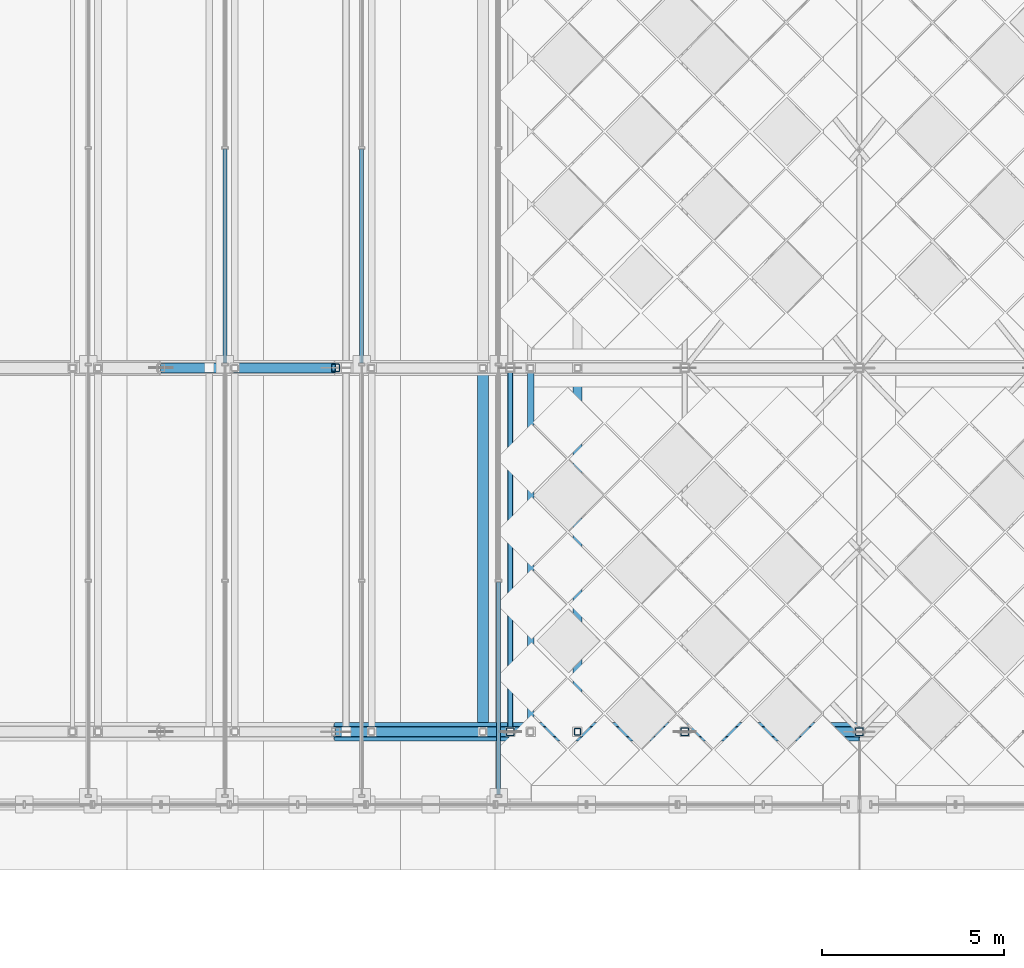
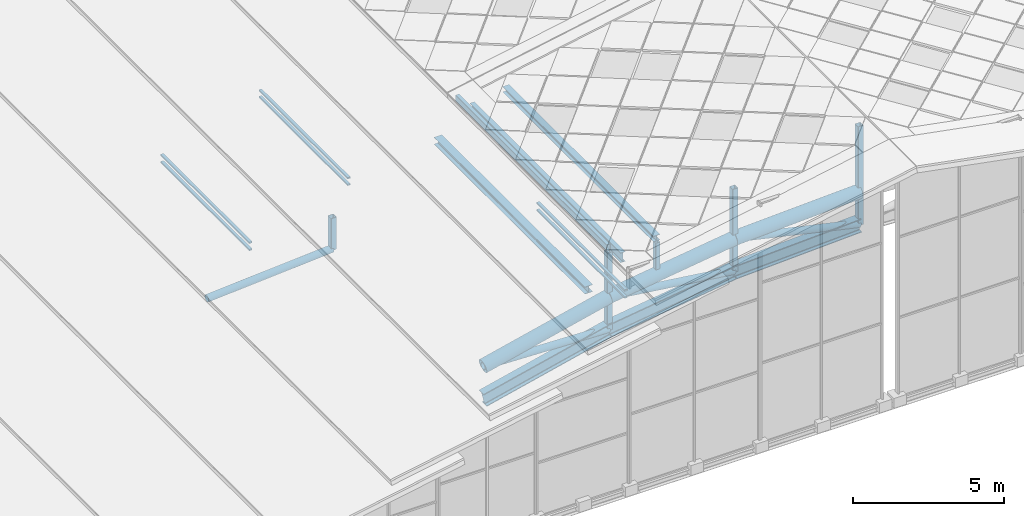
# One storey, part 5 of 117: 25 members, 3 elements without a shape of their own.
"""IFC4 building model written with IfcOpenShell, lengths in metres."""

from ifc_helpers import new_model, si_unit, direction, frame, origin, origin_2d, place, context, subcontext, project, spatial, hollow_rectangle, hollow_circle, i_section, extrude, material, material_profile, profile_set, type_object, element, aggregate, save


model = new_model("IFC4")

# Units and contexts
model_context = context("Model", 3, precision=1e-05, world=origin(), true_north=direction((0.0, 1.0)))
body_context = subcontext(model_context, "Body", "Model", "MODEL_VIEW")
ifc_project = project(units=[si_unit("LENGTHUNIT", "METRE"), si_unit("AREAUNIT", "SQUARE_METRE"), si_unit("VOLUMEUNIT", "CUBIC_METRE"), si_unit("PLANEANGLEUNIT", "RADIAN"), si_unit("MASSUNIT", "GRAM", prefix="KILO")], contexts=[model_context])

# Site, building, storey
site_placement = place(None, origin())
site = spatial("IfcSite", under=ifc_project, at=site_placement, CompositionType="ELEMENT")
building_placement = place(site_placement, origin())
building = spatial("IfcBuilding", under=site, at=building_placement, Name="Merenkruunu Market Hall", CompositionType="ELEMENT")
storey_placement = place(building_placement, frame((0.0, 0.0, 22.800048828125)))
storey = spatial("IfcBuildingStorey", under=building, at=storey_placement, Name="RF", CompositionType="ELEMENT", Elevation=22.800048828125)

# Members
ifc_material_1 = material(Name="Steel S355ML", Category="steel")
ifc_material_profile_1 = material_profile(ifc_material_1, hollow_circle(Radius=0.25390625, WallThickness=0.02001953125, at=origin_2d()), Name="CHS 508x20")
ifc_profile_set_1 = profile_set([ifc_material_profile_1], Name="Steel S355ML")
member_type_1 = type_object("IfcMemberType", Name="Arch Truss Chord TC01", PredefinedType="CHORD", material=ifc_profile_set_1)
member_1_placement = place(storey_placement, frame((14.39990234375, 17.60009765625, -3.47998046875), z_axis=(0.972941974064, 0.0, 0.231049594471), x_axis=(0.0, 1.0, 0.0)))
element("IfcMember", 1, at=member_1_placement, inside=storey, type_object=member_type_1, Name="TRUSS-AT-1-TOP-04", PredefinedType="CHORD", context=body_context, shape_type="SweptSolid", body=[
    extrude(hollow_circle(Radius=0.25390625, WallThickness=0.02001953125, at=origin_2d()), origin(), (0.0, 0.0, 1.0), 4.93359375),
])
member_2_placement = place(storey_placement, frame((19.199951171875, 17.60009765625, -2.340087890625), z_axis=(0.990338564897, 0.0, 0.138670569613), x_axis=(0.0, 1.0, 0.0)))
element("IfcMember", 2, at=member_2_placement, inside=storey, type_object=member_type_1, Name="TRUSS-AT-1-TOP-05", PredefinedType="CHORD", context=body_context, shape_type="SweptSolid", body=[
    extrude(hollow_circle(Radius=0.25390625, WallThickness=0.02001953125, at=origin_2d()), origin(), (0.0, 0.0, 1.0), 4.846923828125),
])
member_3_placement = place(storey_placement, frame((24.0, 17.60009765625, -1.66796875), z_axis=(0.998932934692, 0.0, 0.046184326211), x_axis=(0.0, 1.0, 0.0)))
element("IfcMember", 3, at=member_3_placement, inside=storey, type_object=member_type_1, Name="TRUSS-AT-1-TOP-06", PredefinedType="CHORD", context=body_context, shape_type="SweptSolid", body=[
    extrude(hollow_circle(Radius=0.25390625, WallThickness=0.02001953125, at=origin_2d()), origin(), (0.0, 0.0, 1.0), 4.80517578125),
])
ifc_material_profile_2 = material_profile(ifc_material_1, i_section(OverallWidth=0.300048828125, OverallDepth=0.550048828125, WebThickness=0.014892578125, FlangeThickness=0.029052734375, FilletRadius=0.027099609375, at=origin_2d()), Name="HEB 550")
ifc_profile_set_2 = profile_set([ifc_material_profile_2], Name="Steel S355ML")
member_type_2 = type_object("IfcMemberType", Name="Arch Truss Chord TC03", PredefinedType="CHORD", material=ifc_profile_set_2)
member_4_placement = place(storey_placement, frame((14.39990234375, 17.60009765625, -4.780029296875), z_axis=(0.972941974064, 0.0, 0.231049594471), x_axis=(0.0, 1.0, 0.0)))
element("IfcMember", 4, at=member_4_placement, inside=storey, type_object=member_type_2, Name="TRUSS-AT-1-BOT-04", PredefinedType="CHORD", context=body_context, shape_type="SweptSolid", body=[
    extrude(i_section(OverallWidth=0.300048828125, OverallDepth=0.550048828125, WebThickness=0.014892578125, FlangeThickness=0.029052734375, FilletRadius=0.027099609375, at=origin_2d()), origin(), (0.0, 0.0, 1.0), 4.93359375),
])
member_5_placement = place(storey_placement, frame((19.199951171875, 17.60009765625, -3.64013671875), z_axis=(0.990338564897, 0.0, 0.138670569613), x_axis=(0.0, 1.0, 0.0)))
element("IfcMember", 5, at=member_5_placement, inside=storey, type_object=member_type_2, Name="TRUSS-AT-1-BOT-05", PredefinedType="CHORD", context=body_context, shape_type="SweptSolid", body=[
    extrude(i_section(OverallWidth=0.300048828125, OverallDepth=0.550048828125, WebThickness=0.014892578125, FlangeThickness=0.029052734375, FilletRadius=0.027099609375, at=origin_2d()), origin(), (0.0, 0.0, 1.0), 4.846923828125),
])
member_6_placement = place(storey_placement, frame((24.0, 17.60009765625, -2.968017578125), z_axis=(0.998932934692, 0.0, 0.046184326211), x_axis=(0.0, 1.0, 0.0)))
element("IfcMember", 6, at=member_6_placement, inside=storey, type_object=member_type_2, Name="TRUSS-AT-1-BOT-06", PredefinedType="CHORD", context=body_context, shape_type="SweptSolid", body=[
    extrude(i_section(OverallWidth=0.300048828125, OverallDepth=0.550048828125, WebThickness=0.014892578125, FlangeThickness=0.029052734375, FilletRadius=0.027099609375, at=origin_2d()), origin(), (0.0, 0.0, 1.0), 4.80517578125),
])

# Curtain wall, members
ifc_material_2 = material(Name="Powder-coated aluminium", Category="aluminium")
curtain_wall_type = type_object("IfcCurtainWallType", Name="Clerestory Curtain Band CL05", PredefinedType="USERDEFINED", material=ifc_material_2)
curtain_wall_1_placement = place(storey_placement, origin())
curtain_wall_1 = element("IfcCurtainWall", 7, at=curtain_wall_1_placement, inside=storey, type_object=curtain_wall_type, Name="CW-RF-CWM04-097", ObjectType="CLERESTORY_BAND", PredefinedType="USERDEFINED")
ifc_material_profile_3 = material_profile(ifc_material_2, hollow_rectangle(XDim=0.06005859375, YDim=0.110107421875, WallThickness=0.00390625, at=origin_2d()), Name="ALU 60x110x4")
ifc_profile_set_3 = profile_set([ifc_material_profile_3], Name="Powder-coated aluminium")
member_type_3 = type_object("IfcMemberType", Name="Curtain Wall Transom CWT03", PredefinedType="USERDEFINED", material=ifc_profile_set_3)
member_7_placement = place(storey_placement, frame((11.360107421875, 27.735107421875, -3.85205078125), z_axis=(0.0, 1.0, 0.0), x_axis=(0.0, 0.0, 1.0)))
member_7 = element("IfcMember", 8, at=member_7_placement, type_object=member_type_3, Name="CL05 transom 3.1", ObjectType="TRANSOM", PredefinedType="USERDEFINED", context=body_context, shape_type="SweptSolid", body=[
    extrude(hollow_rectangle(XDim=0.06005859375, YDim=0.110107421875, WallThickness=0.00390625, at=origin_2d()), origin(), (0.0, 0.0, 1.0), 5.8798828125),
])
member_8_placement = place(storey_placement, frame((11.360107421875, 27.735107421875, -3.56396484375), z_axis=(0.0, 1.0, 0.0), x_axis=(0.0, 0.0, 1.0)))
member_8 = element("IfcMember", 9, at=member_8_placement, type_object=member_type_3, Name="CL05 transom 3.2", ObjectType="TRANSOM", PredefinedType="USERDEFINED", context=body_context, shape_type="SweptSolid", body=[
    extrude(hollow_rectangle(XDim=0.06005859375, YDim=0.110107421875, WallThickness=0.00390625, at=origin_2d()), origin(), (0.0, 0.0, 1.0), 5.8798828125),
])
aggregate(curtain_wall_1, [member_7, member_8])

curtain_wall_2_placement = place(storey_placement, origin())
curtain_wall_2 = element("IfcCurtainWall", 10, at=curtain_wall_2_placement, inside=storey, type_object=curtain_wall_type, Name="CW-RF-CWM04-105", ObjectType="CLERESTORY_BAND", PredefinedType="USERDEFINED")
member_9_placement = place(storey_placement, frame((15.1201171875, 27.735107421875, -2.531982421875), z_axis=(0.0, 1.0, 0.0), x_axis=(0.0, 0.0, 1.0)))
member_9 = element("IfcMember", 11, at=member_9_placement, type_object=member_type_3, Name="CL05 transom 3.1", ObjectType="TRANSOM", PredefinedType="USERDEFINED", context=body_context, shape_type="SweptSolid", body=[
    extrude(hollow_rectangle(XDim=0.06005859375, YDim=0.110107421875, WallThickness=0.00390625, at=origin_2d()), origin(), (0.0, 0.0, 1.0), 5.8798828125),
])
member_10_placement = place(storey_placement, frame((15.1201171875, 27.735107421875, -2.26513671875), z_axis=(0.0, 1.0, 0.0), x_axis=(0.0, 0.0, 1.0)))
member_10 = element("IfcMember", 12, at=member_10_placement, type_object=member_type_3, Name="CL05 transom 3.2", ObjectType="TRANSOM", PredefinedType="USERDEFINED", context=body_context, shape_type="SweptSolid", body=[
    extrude(hollow_rectangle(XDim=0.06005859375, YDim=0.110107421875, WallThickness=0.00390625, at=origin_2d()), origin(), (0.0, 0.0, 1.0), 5.8798828125),
])
aggregate(curtain_wall_2, [member_9, member_10])

curtain_wall_3_placement = place(storey_placement, origin())
curtain_wall_3 = element("IfcCurtainWall", 13, at=curtain_wall_3_placement, inside=storey, type_object=curtain_wall_type, Name="CW-RF-CWM04-113", ObjectType="CLERESTORY_BAND", PredefinedType="USERDEFINED")
member_11_placement = place(storey_placement, frame((18.8798828125, 15.8701171875, -1.212158203125), z_axis=(0.0, 1.0, 0.0), x_axis=(0.0, 0.0, 1.0)))
member_11 = element("IfcMember", 14, at=member_11_placement, type_object=member_type_3, Name="CL05 transom 1.1", ObjectType="TRANSOM", PredefinedType="USERDEFINED", context=body_context, shape_type="SweptSolid", body=[
    extrude(hollow_rectangle(XDim=0.06005859375, YDim=0.110107421875, WallThickness=0.00390625, at=origin_2d()), origin(), (0.0, 0.0, 1.0), 5.844970703125),
])
member_12_placement = place(storey_placement, frame((18.8798828125, 15.8701171875, -0.924072265625), z_axis=(0.0, 1.0, 0.0), x_axis=(0.0, 0.0, 1.0)))
member_12 = element("IfcMember", 15, at=member_12_placement, type_object=member_type_3, Name="CL05 transom 1.2", ObjectType="TRANSOM", PredefinedType="USERDEFINED", context=body_context, shape_type="SweptSolid", body=[
    extrude(hollow_rectangle(XDim=0.06005859375, YDim=0.110107421875, WallThickness=0.00390625, at=origin_2d()), origin(), (0.0, 0.0, 1.0), 5.844970703125),
])
aggregate(curtain_wall_3, [member_11, member_12])

# Members
ifc_material_profile_4 = material_profile(ifc_material_1, hollow_circle(Radius=0.136474609375, WallThickness=0.012451171875, at=origin_2d()), Name="CHS 273x12.5")
ifc_profile_set_4 = profile_set([ifc_material_profile_4], Name="Steel S355ML")
member_type_4 = type_object("IfcMemberType", Name="Diagonal Sway Brace BR02", PredefinedType="BRACE", material=ifc_profile_set_4)
member_13_placement = place(storey_placement, frame((14.39990234375, 17.60009765625, -3.47998046875), z_axis=(0.999443834494, 0.0, -0.033346989239), x_axis=(0.0, 1.0, 0.0)))
element("IfcMember", 16, at=member_13_placement, inside=storey, type_object=member_type_4, Name="TRUSS-AT-1-DIAG-04", PredefinedType="BRACE", context=body_context, shape_type="SweptSolid", body=[
    extrude(hollow_circle(Radius=0.136474609375, WallThickness=0.012451171875, at=origin_2d()), origin(), (0.0, 0.0, 1.0), 4.802734375),
])
member_14_placement = place(storey_placement, frame((19.199951171875, 17.60009765625, -2.340087890625), z_axis=(0.991551689691, 0.0, -0.129712168551), x_axis=(0.0, 1.0, 0.0)))
element("IfcMember", 17, at=member_14_placement, inside=storey, type_object=member_type_4, Name="TRUSS-AT-1-DIAG-05", PredefinedType="BRACE", context=body_context, shape_type="SweptSolid", body=[
    extrude(hollow_circle(Radius=0.136474609375, WallThickness=0.012451171875, at=origin_2d()), origin(), (0.0, 0.0, 1.0), 4.841064453125),
])
member_15_placement = place(storey_placement, frame((24.0, 17.60009765625, -1.66796875), z_axis=(0.975691787326, 0.0, -0.219147293262), x_axis=(0.0, 1.0, 0.0)))
element("IfcMember", 18, at=member_15_placement, inside=storey, type_object=member_type_4, Name="TRUSS-AT-1-DIAG-06", PredefinedType="BRACE", context=body_context, shape_type="SweptSolid", body=[
    extrude(hollow_circle(Radius=0.136474609375, WallThickness=0.012451171875, at=origin_2d()), origin(), (0.0, 0.0, 1.0), 4.919677734375),
])
member_16_placement = place(storey_placement, frame((9.60009765625, 27.60009765625, -5.12109375), z_axis=(0.997484901828, 0.0, 0.070879267948), x_axis=(0.0, 1.0, 0.0)))
element("IfcMember", 19, at=member_16_placement, inside=storey, type_object=member_type_4, Name="TRUSS-AT-2-DIAG-03", PredefinedType="BRACE", context=body_context, shape_type="SweptSolid", body=[
    extrude(hollow_circle(Radius=0.136474609375, WallThickness=0.012451171875, at=origin_2d()), origin(), (0.0, 0.0, 1.0), 4.81201171875),
])
ifc_material_3 = material(Name="Steel S355J2", Category="steel")
ifc_material_profile_5 = material_profile(ifc_material_3, hollow_rectangle(XDim=0.219970703125, YDim=0.219970703125, WallThickness=0.012451171875, InnerFilletRadius=0.012451171875, OuterFilletRadius=0.02490234375, at=origin_2d()), Name="SHS 220x220x12.5")
ifc_profile_set_5 = profile_set([ifc_material_profile_5], Name="Steel S355J2")
member_type_5 = type_object("IfcMemberType", Name="Diagonal Sway Brace BR04", PredefinedType="BRACE", material=ifc_profile_set_5)
member_17_placement = place(storey_placement, frame((19.199951171875, 17.60009765625, -3.64013671875), z_axis=(0.0, 0.0, 1.0), x_axis=(1.0, 0.0, 0.0)))
element("IfcMember", 20, at=member_17_placement, inside=storey, type_object=member_type_5, Name="TRUSS-AT-1-POST-04", PredefinedType="BRACE", context=body_context, shape_type="SweptSolid", body=[
    extrude(hollow_rectangle(XDim=0.219970703125, YDim=0.219970703125, WallThickness=0.012451171875, InnerFilletRadius=0.012451171875, OuterFilletRadius=0.02490234375, at=origin_2d()), origin(), (0.0, 0.0, 1.0), 3.1416015625),
])
member_18_placement = place(storey_placement, frame((24.0, 17.60009765625, -2.968017578125), z_axis=(0.0, 0.0, 1.0), x_axis=(1.0, 0.0, 0.0)))
element("IfcMember", 21, at=member_18_placement, inside=storey, type_object=member_type_5, Name="TRUSS-AT-1-POST-05", PredefinedType="BRACE", context=body_context, shape_type="SweptSolid", body=[
    extrude(hollow_rectangle(XDim=0.219970703125, YDim=0.219970703125, WallThickness=0.012451171875, InnerFilletRadius=0.012451171875, OuterFilletRadius=0.02490234375, at=origin_2d()), origin(), (0.0, 0.0, 1.0), 3.3720703125),
])
member_19_placement = place(storey_placement, frame((28.800048828125, 17.60009765625, -2.74609375), z_axis=(0.0, 0.0, 1.0), x_axis=(1.0, 0.0, 0.0)))
element("IfcMember", 22, at=member_19_placement, inside=storey, type_object=member_type_5, Name="TRUSS-AT-1-POST-06", PredefinedType="BRACE", context=body_context, shape_type="SweptSolid", body=[
    extrude(hollow_rectangle(XDim=0.219970703125, YDim=0.219970703125, WallThickness=0.012451171875, InnerFilletRadius=0.012451171875, OuterFilletRadius=0.02490234375, at=origin_2d()), origin(), (0.0, 0.0, 1.0), 4.00244140625),
])
member_20_placement = place(storey_placement, frame((14.39990234375, 27.60009765625, -4.780029296875), z_axis=(0.0, 0.0, 1.0), x_axis=(1.0, 0.0, 0.0)))
element("IfcMember", 23, at=member_20_placement, inside=storey, type_object=member_type_5, Name="TRUSS-AT-2-POST-03", PredefinedType="BRACE", context=body_context, shape_type="SweptSolid", body=[
    extrude(hollow_rectangle(XDim=0.219970703125, YDim=0.219970703125, WallThickness=0.012451171875, InnerFilletRadius=0.012451171875, OuterFilletRadius=0.02490234375, at=origin_2d()), origin(), (0.0, 0.0, 1.0), 1.300048828125),
])
ifc_material_profile_6 = material_profile(ifc_material_3, hollow_rectangle(XDim=0.179931640625, YDim=0.179931640625, WallThickness=0.010009765625, InnerFilletRadius=0.010009765625, OuterFilletRadius=0.02001953125, at=origin_2d()), Name="SHS 180x180x10")
ifc_profile_set_6 = profile_set([ifc_material_profile_6], Name="Steel S355J2")
member_type_6 = type_object("IfcMemberType", Name="Diagonal Sway Brace BR05", PredefinedType="BRACE", material=ifc_profile_set_6)
member_21_placement = place(storey_placement, frame((21.050048828125, 17.60009765625, -1.839111328125), z_axis=(0.0, 0.0, 1.0), x_axis=(1.0, 0.0, 0.0)))
element("IfcMember", 24, at=member_21_placement, inside=storey, type_object=member_type_6, Name="TRUSS-AT-1-RISER-W6-2", PredefinedType="BRACE", context=body_context, shape_type="SweptSolid", body=[
    extrude(hollow_rectangle(XDim=0.179931640625, YDim=0.179931640625, WallThickness=0.010009765625, InnerFilletRadius=0.010009765625, OuterFilletRadius=0.02001953125, at=origin_2d()), origin(), (0.0, 0.0, 1.0), 1.07763671875),
])
ifc_material_profile_7 = material_profile(ifc_material_1, hollow_rectangle(XDim=0.14990234375, YDim=0.25, WallThickness=0.010009765625, InnerFilletRadius=0.010009765625, OuterFilletRadius=0.02001953125, at=origin_2d()), Name="RHS 250x150x10")
ifc_profile_set_7 = profile_set([ifc_material_profile_7], Name="Steel S355ML")
member_type_7 = type_object("IfcMemberType", Name="Roof Purlin Rafter PR04", PredefinedType="PURLIN", material=ifc_profile_set_7)
member_22_placement = place(storey_placement, frame((19.199951171875, 17.60009765625, -0.35546875), z_axis=(0.0, 1.0, 0.0), x_axis=(-1.0, 0.0, 0.0)))
element("IfcMember", 25, at=member_22_placement, inside=storey, type_object=member_type_7, Name="MEM-CROWN-EAVE-002", PredefinedType="PURLIN", context=body_context, shape_type="SweptSolid", body=[
    extrude(hollow_rectangle(XDim=0.14990234375, YDim=0.25, WallThickness=0.010009765625, InnerFilletRadius=0.010009765625, OuterFilletRadius=0.02001953125, at=origin_2d()), origin(), (0.0, 0.0, 1.0), 10.0),
])
ifc_material_profile_8 = material_profile(ifc_material_1, i_section(OverallWidth=0.300048828125, OverallDepth=0.2900390625, WebThickness=0.008544921875, FlangeThickness=0.013916015625, FilletRadius=0.027099609375, at=origin_2d()), Name="HEA 300")
ifc_profile_set_8 = profile_set([ifc_material_profile_8], Name="Steel S355ML")
member_type_8 = type_object("IfcMemberType", Name="Roof Purlin Rafter PR07", PredefinedType="PURLIN", material=ifc_profile_set_8)
member_23_placement = place(storey_placement, frame((18.449951171875, 17.60009765625, -1.789306640625), z_axis=(0.0, 1.0, 0.0), x_axis=(-1.0, 0.0, 0.0)))
element("IfcMember", 26, at=member_23_placement, inside=storey, type_object=member_type_8, Name="MEM-RF-PURL-W-145", PredefinedType="PURLIN", context=body_context, shape_type="SweptSolid", body=[
    extrude(i_section(OverallWidth=0.300048828125, OverallDepth=0.2900390625, WebThickness=0.008544921875, FlangeThickness=0.013916015625, FilletRadius=0.027099609375, at=origin_2d()), origin(), (0.0, 0.0, 1.0), 10.0),
])
ifc_material_profile_9 = material_profile(ifc_material_1, i_section(OverallWidth=0.239990234375, OverallDepth=0.22998046875, WebThickness=0.007568359375, FlangeThickness=0.011962890625, FilletRadius=0.02099609375, at=origin_2d()), Name="HEA 240")
ifc_profile_set_9 = profile_set([ifc_material_profile_9], Name="Steel S355ML")
member_type_9 = type_object("IfcMemberType", Name="Roof Purlin Rafter PR08", PredefinedType="PURLIN", material=ifc_profile_set_9)
member_24_placement = place(storey_placement, frame((21.050048828125, 17.60009765625, -0.62841796875), z_axis=(0.0, 1.0, 0.0), x_axis=(-1.0, 0.0, 0.0)))
element("IfcMember", 27, at=member_24_placement, inside=storey, type_object=member_type_9, Name="MEM-RF-PURL-W-177", PredefinedType="PURLIN", context=body_context, shape_type="SweptSolid", body=[
    extrude(i_section(OverallWidth=0.239990234375, OverallDepth=0.22998046875, WebThickness=0.007568359375, FlangeThickness=0.011962890625, FilletRadius=0.02099609375, at=origin_2d()), origin(), (0.0, 0.0, 1.0), 10.0),
])
ifc_material_profile_10 = material_profile(ifc_material_1, i_section(OverallWidth=0.179931640625, OverallDepth=0.39990234375, WebThickness=0.008544921875, FlangeThickness=0.013427734375, FilletRadius=0.02099609375, at=origin_2d()), Name="IPE 400")
ifc_profile_set_10 = profile_set([ifc_material_profile_10], Name="Steel S355ML")
member_type_10 = type_object("IfcMemberType", Name="Roof Purlin Rafter PR09", PredefinedType="PURLIN", material=ifc_profile_set_10)
member_25_placement = place(storey_placement, frame((19.760009765625, 17.60009765625, -0.947021484375), z_axis=(0.0, 1.0, 0.0), x_axis=(-1.0, 0.0, 0.0)))
element("IfcMember", 28, at=member_25_placement, inside=storey, type_object=member_type_10, Name="MEM-RF-PURL-W-161", PredefinedType="PURLIN", context=body_context, shape_type="SweptSolid", body=[
    extrude(i_section(OverallWidth=0.179931640625, OverallDepth=0.39990234375, WebThickness=0.008544921875, FlangeThickness=0.013427734375, FilletRadius=0.02099609375, at=origin_2d()), origin(), (0.0, 0.0, 1.0), 10.0),
])

save(model, "model.ifc")
